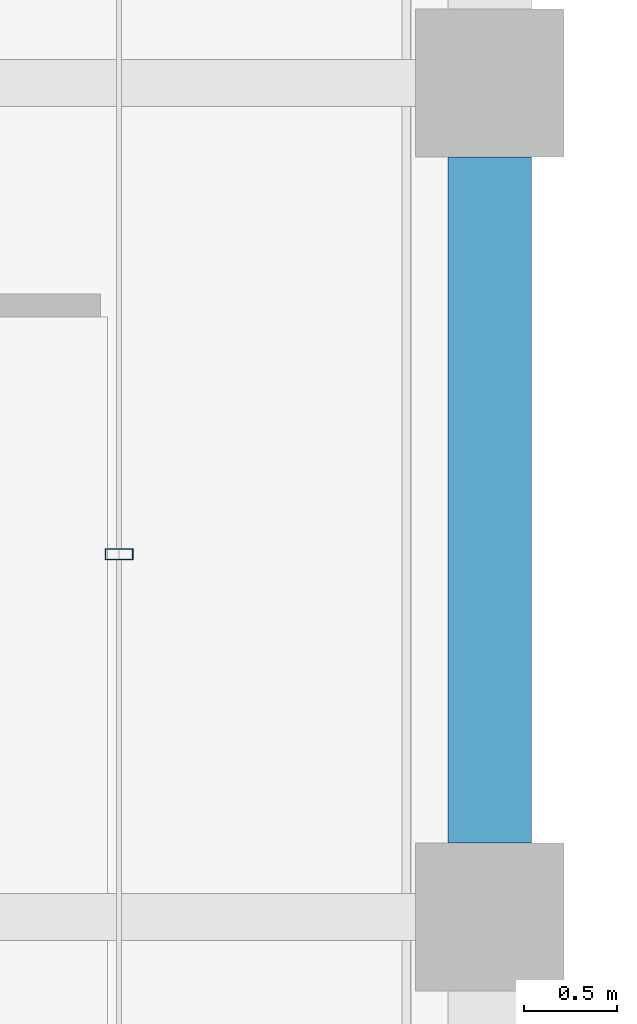
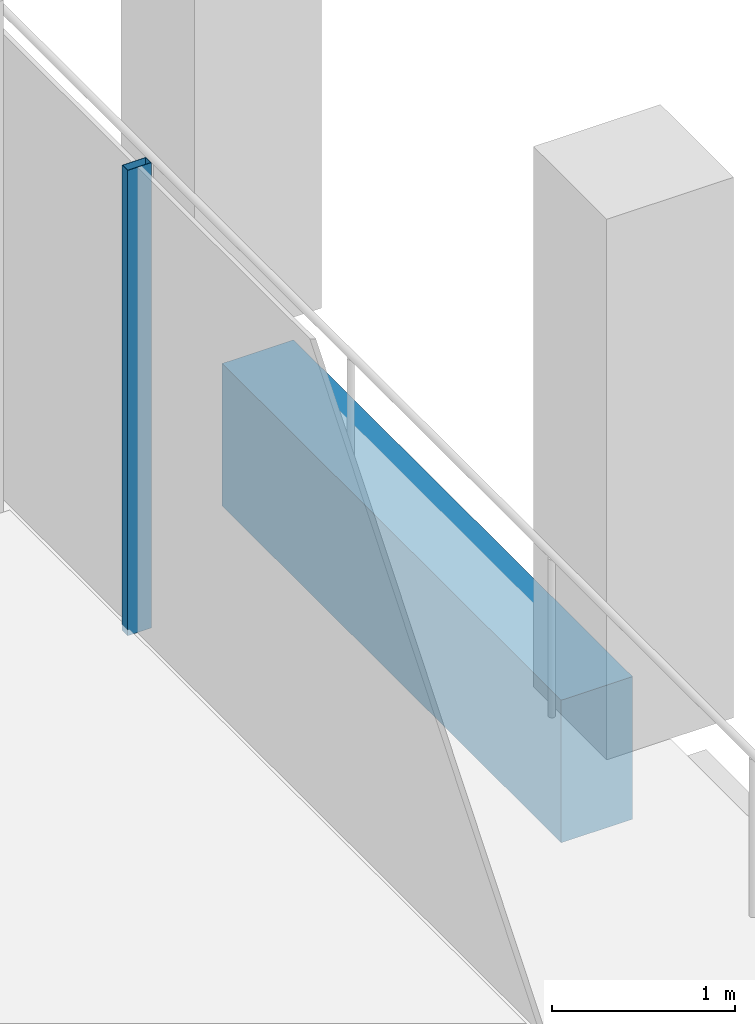
# One storey, part 17 of 40: 1 beam, 1 member, 1 element without a shape of its own.
"""IFC4 building model written with IfcOpenShell, lengths in metres."""

from ifc_helpers import new_model, si_unit, direction, frame, origin, origin_2d, place, context, subcontext, project, spatial, rectangle, hollow_rectangle, extrude, material, material_profile, profile_set, type_object, element, aggregate, save


model = new_model("IFC4")

# Units and contexts
model_context = context("Model", 3, precision=1e-05, world=origin(), true_north=direction((0.0, 1.0)))
body_context = subcontext(model_context, "Body", "Model", "MODEL_VIEW")
ifc_project = project(units=[si_unit("LENGTHUNIT", "METRE"), si_unit("AREAUNIT", "SQUARE_METRE"), si_unit("VOLUMEUNIT", "CUBIC_METRE"), si_unit("PLANEANGLEUNIT", "RADIAN"), si_unit("MASSUNIT", "GRAM", prefix="KILO")], contexts=[model_context])

# Site, building, storey
site_placement = place(None, origin())
site = spatial("IfcSite", under=ifc_project, at=site_placement, CompositionType="ELEMENT")
building_placement = place(site_placement, origin())
building = spatial("IfcBuilding", under=site, at=building_placement, Name="Altepetl Exchange Towers", CompositionType="ELEMENT")
storey_placement = place(building_placement, frame((0.0, 0.0, 199.199951171875)))
storey = spatial("IfcBuildingStorey", under=building, at=storey_placement, Name="L50", CompositionType="ELEMENT", Elevation=199.199951171875)

# Curtain wall, member
ifc_material_1 = material(Name="Aluminium 6063-T6 glazing", Category="aluminium")
curtain_wall_type = type_object("IfcCurtainWallType", Name="Loggia glazing system", PredefinedType="NOTDEFINED", material=ifc_material_1)
curtain_wall_placement = place(storey_placement, origin())
curtain_wall = element("IfcCurtainWall", 1, at=curtain_wall_placement, inside=storey, type_object=curtain_wall_type, Name="CW1 run", PredefinedType="NOTDEFINED")
ifc_material_2 = material(Name="Aluminium 6063-T6", Category="aluminium")
ifc_material_profile_1 = material_profile(ifc_material_2, hollow_rectangle(XDim=0.06005859375, YDim=0.14990234375, WallThickness=0.0029296875, at=origin_2d()), Name="Mullion 60x150 aluminium")
ifc_profile_set_1 = profile_set([ifc_material_profile_1], Name="Aluminium 6063-T6")
member_type = type_object("IfcMemberType", Name="Mullion 60x150 aluminium", PredefinedType="MULLION", material=ifc_profile_set_1)
member_placement = place(storey_placement, frame((70.0, 46.9580078125, 0.0), z_axis=(0.0, 0.0, 1.0), x_axis=(0.0, 1.0, 0.0)))
member = element("IfcMember", 2, at=member_placement, type_object=member_type, Name="MU1 mullion", PredefinedType="MULLION", context=body_context, shape_type="SweptSolid", body=[
    extrude(hollow_rectangle(XDim=0.06005859375, YDim=0.14990234375, WallThickness=0.0029296875, at=origin_2d()), origin(), (0.0, 0.0, 1.0), 3.10009765625),
])
aggregate(curtain_wall, [member])

# Beam
ifc_material_3 = material(Name="Concrete C50/60 precast with cantera amarilla facing", Category="concrete")
ifc_material_profile_2 = material_profile(ifc_material_3, rectangle(XDim=0.449951171875, YDim=0.949951171875, at=origin_2d()), Name="450 x 950")
ifc_profile_set_2 = profile_set([ifc_material_profile_2], Name="Concrete C50/60 precast with cantera amarilla facing")
beam_type = type_object("IfcBeamType", Name="Spandrel beam 450x950 cantera amarilla", PredefinedType="SPANDREL", material=ifc_profile_set_2)
beam_placement = place(storey_placement, frame((72.0, 45.39990234375, -0.625), z_axis=(0.0, 1.0, 0.0), x_axis=(-1.0, 0.0, 0.0)))
element("IfcBeam", 3, at=beam_placement, inside=storey, type_object=beam_type, Name="sp:A:L50:015", PredefinedType="SPANDREL", context=body_context, shape_type="SweptSolid", body=[
    extrude(rectangle(XDim=0.449951171875, YDim=0.949951171875, at=origin_2d()), origin(), (0.0, 0.0, 1.0), 3.7001953125),
])

save(model, "model.ifc")
